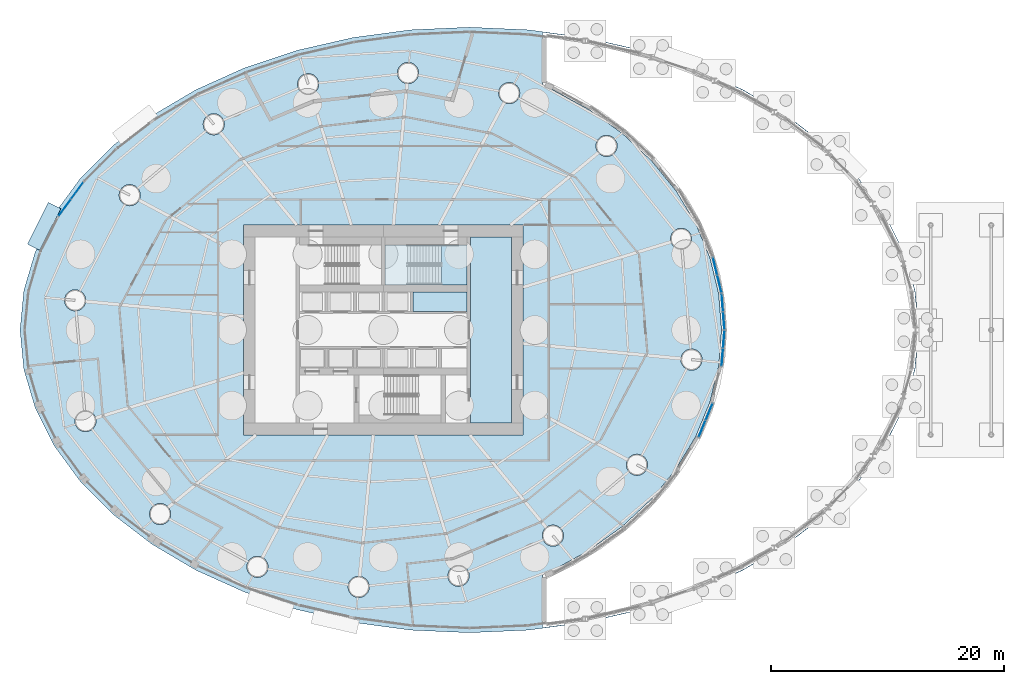
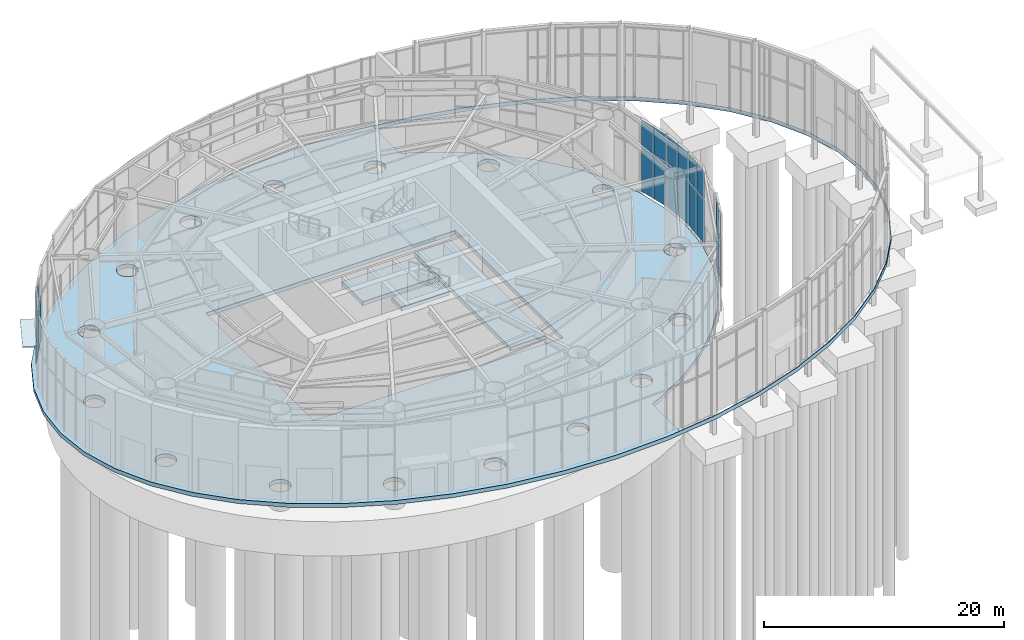
# One storey, part 17 of 27: 20 plates, 5 slabs, 6 elements without a shape of their own.
"""IFC4 building model written with IfcOpenShell, lengths in metres."""

import ifcopenshell
import ifcopenshell.guid

model = None  # the IFC model being written
_history = None  # IfcOwnerHistory: only IFC2X3 demands one
_inside = {}  # id of a spatial element -> (the spatial element, [elements in it])
_under = {}  # id of a project, library or spatial element -> (it, [spatial elements below it])
_declared = {}  # id of a project -> (the project, [libraries it declares])
_typed = {}  # id of a type object -> (the type object, [elements of that type])
_made_of = {}  # id of a material, layer set ... -> (it, [elements and type objects made of it])


def new_model(schema):
    """Start an empty IFC model of exactly this schema.

    Asked for "IFC4X3", IfcOpenShell would pick the latest addendum, in which some entities
    have other attributes; the version numbers below select the first issue.
    IFC2X3 requires an IfcOwnerHistory on every rooted entity: one is made here for all.
    """
    global model, _history
    if schema == "IFC4X3":
        model = ifcopenshell.file(schema_version=(4, 3, 0, 0))
    else:
        model = ifcopenshell.file(schema=schema)
    _inside.clear()
    _under.clear()
    _declared.clear()
    _typed.clear()
    _made_of.clear()
    _history = None
    if model.schema == "IFC2X3":
        org = make("IfcOrganization", Name="unknown")
        user = make(
            "IfcPersonAndOrganization",
            ThePerson=make("IfcPerson", FamilyName="unknown"),
            TheOrganization=org,
        )
        app = make(
            "IfcApplication",
            ApplicationDeveloper=org,
            Version="unknown",
            ApplicationFullName="unknown",
            ApplicationIdentifier="unknown",
        )
        _history = make(
            "IfcOwnerHistory",
            OwningUser=user,
            OwningApplication=app,
            ChangeAction="ADDED",
            CreationDate=0,
        )
    return model


def make(cls, **values):
    """One entity of the class cls with the attributes given. An attribute that is None is left unset."""
    return model.create_entity(
        cls, **{name: value for name, value in values.items() if value is not None}
    )


def rooted(cls, **values):
    """An entity with a GlobalId (a new one), such as an element, a storey or a relation."""
    return make(cls, GlobalId=ifcopenshell.guid.new(), OwnerHistory=_history, **values)


def si_unit(unit_type, name, prefix=None):
    """IfcSIUnit, for example si_unit("LENGTHUNIT", "METRE", prefix="MILLI")."""
    return make("IfcSIUnit", UnitType=unit_type, Prefix=prefix, Name=name)


def assignment(units):
    """IfcUnitAssignment: the units of a project."""
    return None if units is None else make("IfcUnitAssignment", Units=units)


def point(xyz):
    """IfcCartesianPoint."""
    return None if xyz is None else make("IfcCartesianPoint", Coordinates=xyz)


def direction(xyz):
    """IfcDirection."""
    return None if xyz is None else make("IfcDirection", DirectionRatios=xyz)


def frame(location, z_axis=None, x_axis=None):
    """IfcAxis2Placement3D, a coordinate frame: its origin and axes. An axis left out is left unset."""
    return make(
        "IfcAxis2Placement3D",
        Location=point(location),
        Axis=direction(z_axis),
        RefDirection=direction(x_axis),
    )


def frame_2d(location, x_axis=None):
    """IfcAxis2Placement2D, a coordinate frame in the plane: its origin and x axis."""
    return make(
        "IfcAxis2Placement2D", Location=point(location), RefDirection=direction(x_axis)
    )


def origin():
    """The frame at (0, 0, 0) with its axes left unset."""
    return frame((0.0, 0.0, 0.0))


def origin_2d():
    """The frame at (0, 0) in the plane with its x axis left unset."""
    return frame_2d((0.0, 0.0))


def place(relative_to, where):
    """IfcLocalPlacement: puts the frame where relative to a parent placement (None: the world)."""
    return make(
        "IfcLocalPlacement", PlacementRelTo=relative_to, RelativePlacement=where
    )


def context(
    kind, dimensions, precision=None, world=None, true_north=None, identifier=None
):
    """IfcGeometricRepresentationContext, for example the 3D "Model" context."""
    return make(
        "IfcGeometricRepresentationContext",
        ContextIdentifier=identifier,
        ContextType=kind,
        CoordinateSpaceDimension=dimensions,
        Precision=precision,
        WorldCoordinateSystem=world,
        TrueNorth=true_north,
    )


def subcontext(parent, identifier, kind, view, scale=None):
    """IfcGeometricRepresentationSubContext, for example "Body" below "Model"."""
    return make(
        "IfcGeometricRepresentationSubContext",
        ContextIdentifier=identifier,
        ContextType=kind,
        ParentContext=parent,
        TargetScale=scale,
        TargetView=view,
    )


def project(units=None, contexts=None):
    """IfcProject with its units and contexts."""
    return rooted(
        "IfcProject",
        Name="project",
        RepresentationContexts=contexts,
        UnitsInContext=assignment(units),
    )


def spatial(cls, under=None, at=None, **own):
    """A site, building, storey or space (cls), placed at a placement, below another one or the project."""
    s = rooted(cls, ObjectPlacement=at, **own)
    if under is not None:
        _under.setdefault(under.id(), (under, []))[1].append(s)
    return s


def polyline(points):
    """IfcPolyline through the points."""
    return make("IfcPolyline", Points=[point(p) for p in points])


def profile(cls, at=None, kind="AREA", **sizes):
    """A parametric profile (cls). Its sizes go by their IFC names, for example OverallWidth=200.0."""
    return make(cls, ProfileType=kind, Position=at, **sizes)


def rectangle(**sizes):
    """IfcRectangleProfileDef."""
    return profile("IfcRectangleProfileDef", **sizes)


def outline(outer, holes=None, kind="AREA"):
    """IfcArbitraryClosedProfileDef: a profile drawn as a closed curve; with holes, ...WithVoids."""
    if holes is None:
        return make("IfcArbitraryClosedProfileDef", ProfileType=kind, OuterCurve=outer)
    return make(
        "IfcArbitraryProfileDefWithVoids",
        ProfileType=kind,
        OuterCurve=outer,
        InnerCurves=holes,
    )


def extrude(swept, where, along, depth):
    """IfcExtrudedAreaSolid: the profile swept, set in the frame where, extruded along a direction by depth."""
    return make(
        "IfcExtrudedAreaSolid",
        SweptArea=swept,
        Position=where,
        ExtrudedDirection=direction(along),
        Depth=depth,
    )


def shape(context_of_items, identifier, shape_type, items):
    """IfcShapeRepresentation: the items that make up one representation, for example the "Body"."""
    return make(
        "IfcShapeRepresentation",
        ContextOfItems=context_of_items,
        RepresentationIdentifier=identifier,
        RepresentationType=shape_type,
        Items=items,
    )


def material(Name=None, Category=None):
    """IfcMaterial."""
    return make("IfcMaterial", Name=Name, Category=Category)


def layer(
    of_material, thickness, ventilated=None, Name=None, Category=None, Priority=None
):
    """IfcMaterialLayer: one layer of a wall or slab, of a material (None: an air gap)."""
    return make(
        "IfcMaterialLayer",
        Material=of_material,
        LayerThickness=thickness,
        IsVentilated=ventilated,
        Name=Name,
        Category=Category,
        Priority=Priority,
    )


def layer_set(layers, Name=None):
    """IfcMaterialLayerSet."""
    return make("IfcMaterialLayerSet", MaterialLayers=layers, LayerSetName=Name)


def made_of(thing, what):
    """Note that an element or type object is made of a material, layer set ...; save() writes the relation."""
    if what is not None:
        _made_of.setdefault(what.id(), (what, []))[1].append(thing)
    return thing


def type_object(cls, material=None, **own):
    """A type object (cls), such as IfcWallType, which elements share."""
    return made_of(rooted(cls, **own), material)


def element(
    cls,
    number,
    at=None,
    inside=None,
    cuts=None,
    type_object=None,
    material=None,
    context=None,
    identifier="Body",
    shape_type=None,
    held_by="IfcProductDefinitionShape",
    body=None,
    shapes=None,
    **own,
):
    """One element of the class cls, such as IfcWall. Its Tag is "e" and its number.

    at: its placement. inside: the storey or other place that contains it. cuts: it is an
    opening in that element (IfcRelVoidsElement). A single representation is given by context,
    identifier, shape_type and body (its items); several are given by shapes. held_by: the class
    of the entity that holds the representations. save() writes the other relations.
    """
    e = rooted(cls, Tag="e%d" % number, ObjectPlacement=at, **own)
    if body is not None:
        shapes = [shape(context, identifier, shape_type, body)]
    if shapes is not None:
        e.Representation = make(held_by, Representations=shapes)
    if inside is not None:
        _inside.setdefault(inside.id(), (inside, []))[1].append(e)
    if cuts is not None:
        rooted(
            "IfcRelVoidsElement", RelatingBuildingElement=cuts, RelatedOpeningElement=e
        )
    if type_object is not None:
        _typed.setdefault(type_object.id(), (type_object, []))[1].append(e)
    return made_of(e, material)


def aggregate(whole, parts):
    """IfcRelAggregates: a whole, such as a stair, and the parts it consists of."""
    return rooted("IfcRelAggregates", RelatingObject=whole, RelatedObjects=parts)


def save(model, path):
    """Write the relations noted so far, then the file.

    IfcRelAggregates (storeys below a building ...), IfcRelContainedInSpatialStructure (elements
    in a storey), IfcRelDefinesByType, IfcRelAssociatesMaterial and IfcRelDeclares: one each for
    every whole, place, type object, material and project.
    """
    for whole, parts in _under.values():
        aggregate(whole, parts)
    for where, things in _inside.values():
        rooted(
            "IfcRelContainedInSpatialStructure",
            RelatedElements=things,
            RelatingStructure=where,
        )
    for kind, things in _typed.values():
        rooted("IfcRelDefinesByType", RelatedObjects=things, RelatingType=kind)
    for what, things in _made_of.values():
        rooted("IfcRelAssociatesMaterial", RelatedObjects=things, RelatingMaterial=what)
    for by, libraries in _declared.values():
        rooted("IfcRelDeclares", RelatingContext=by, RelatedDefinitions=libraries)
    model.write(path)


model = new_model("IFC4")

# Units and contexts
model_context = context("Model", 3, precision=1e-05, world=origin(), true_north=direction((0.0, 1.0)))
body_context = subcontext(model_context, "Body", "Model", "MODEL_VIEW")
ifc_project = project(units=[si_unit("LENGTHUNIT", "METRE"), si_unit("AREAUNIT", "SQUARE_METRE"), si_unit("VOLUMEUNIT", "CUBIC_METRE"), si_unit("PLANEANGLEUNIT", "RADIAN"), si_unit("MASSUNIT", "GRAM", prefix="KILO")], contexts=[model_context])

# Site, building, storey
site_placement = place(None, origin())
site = spatial("IfcSite", under=ifc_project, at=site_placement, CompositionType="ELEMENT")
building_placement = place(site_placement, origin())
building = spatial("IfcBuilding", under=site, at=building_placement, Name="Vermilion Reach Broadcast Tower", CompositionType="ELEMENT")
storey_placement = place(building_placement, origin())
storey = spatial("IfcBuildingStorey", under=building, at=storey_placement, Name="L00", CompositionType="ELEMENT", Elevation=0.0)

# Slabs
ifc_material_1 = material(Name="Concrete C40", Category="concrete")
ifc_layer_1 = layer(ifc_material_1, 0.39990234375)
ifc_layer_set_1 = layer_set([ifc_layer_1], Name="Core ground slab Concrete C40")
slab_type_1 = type_object("IfcSlabType", Name="Core ground slab Concrete C40", PredefinedType="BASESLAB", material=ifc_layer_set_1)
placement_1 = place(storey_placement, frame((0.0, 0.0, -0.39990234375)))
element("IfcSlab", 1, at=placement_1, inside=storey, type_object=slab_type_1, Name="L00 core floor 3", PredefinedType="BASESLAB", context=body_context, shape_type="SweptSolid", body=[
    extrude(outline(polyline([(1.5, -8.0), (5.0, -8.0), (5.0, 8.0), (1.5, 8.0), (1.5, -8.0)])), origin(), (0.0, 0.0, 1.0), 0.39990234375),
])
element("IfcSlab", 2, at=placement_1, inside=storey, type_object=slab_type_1, Name="L00 core floor 5", PredefinedType="BASESLAB", context=body_context, shape_type="SweptSolid", body=[
    extrude(outline(polyline([(-3.433349609375, 1.60009765625), (1.199951171875, 1.60009765625), (1.199951171875, 3.280029296875), (-3.433349609375, 3.280029296875), (-3.433349609375, 1.60009765625)])), origin(), (0.0, 0.0, 1.0), 0.39990234375),
])
element("IfcSlab", 3, at=placement_1, inside=storey, type_object=slab_type_1, Name="L00 core floor 9", PredefinedType="BASESLAB", context=body_context, shape_type="SweptSolid", body=[
    extrude(outline(polyline([(-5.85009765625, 3.8798828125), (1.199951171875, 3.8798828125), (1.199951171875, 7.300048828125), (-5.85009765625, 7.300048828125), (-5.85009765625, 3.8798828125)])), origin(), (0.0, 0.0, 1.0), 0.39990234375),
])

# Curtain wall, plates
ifc_material_2 = material(Name="Low-e laminated clear glass in aluminium frame", Category="aluminium")
curtain_wall_type_1 = type_object("IfcCurtainWallType", Name="Drum wall curtain wall", PredefinedType="NOTDEFINED", material=ifc_material_2)
placement_2 = place(storey_placement, origin())
curtain_wall_1 = element("IfcCurtainWall", 4, at=placement_2, inside=storey, type_object=curtain_wall_type_1, Name="Drum wall L00 03", PredefinedType="NOTDEFINED")
ifc_material_3 = material(Name="Low-e laminated clear glass", Category="glass")
ifc_layer_2 = layer(ifc_material_3, 0.031982421875)
ifc_layer_set_2 = layer_set([ifc_layer_2], Name="Drum wall glass panel")
plate_type_1 = type_object("IfcPlateType", Name="Drum wall glass panel", PredefinedType="CURTAIN_PANEL", material=ifc_layer_set_2)
plate_1_placement = place(storey_placement, frame((22.486572265625, 5.468017578125, 0.0), z_axis=(0.0, 0.0, 1.0), x_axis=(0.235876820108, -0.971782962258, 0.0)))
plate_1 = element("IfcPlate", 5, at=plate_1_placement, type_object=plate_type_1, Name="Drum wall glass panel L00 03.1.1", PredefinedType="CURTAIN_PANEL", context=body_context, shape_type="SweptSolid", body=[
    extrude(rectangle(XDim=1.47705078125, YDim=0.031982421875, at=origin_2d()), origin(), (0.0, 0.0, 1.0), 4.449951171875),
])
plate_2_placement = place(storey_placement, frame((22.486572265625, 5.468017578125, 4.550048828125), z_axis=(0.0, 0.0, 1.0), x_axis=(0.235876820108, -0.971782962258, 0.0)))
plate_2 = element("IfcPlate", 6, at=plate_2_placement, type_object=plate_type_1, Name="Drum wall glass panel L00 03.1.2", PredefinedType="CURTAIN_PANEL", context=body_context, shape_type="SweptSolid", body=[
    extrude(rectangle(XDim=1.47705078125, YDim=0.031982421875, at=origin_2d()), origin(), (0.0, 0.0, 1.0), 2.75),
])
plate_3_placement = place(storey_placement, frame((22.85400390625, 3.955078125, 0.0), z_axis=(0.0, 0.0, 1.0), x_axis=(0.235876820108, -0.971782962258, 0.0)))
plate_3 = element("IfcPlate", 7, at=plate_3_placement, type_object=plate_type_1, Name="Drum wall glass panel L00 03.2.1", PredefinedType="CURTAIN_PANEL", context=body_context, shape_type="SweptSolid", body=[
    extrude(rectangle(XDim=1.47705078125, YDim=0.031982421875, at=origin_2d()), origin(), (0.0, 0.0, 1.0), 4.449951171875),
])
plate_4_placement = place(storey_placement, frame((22.85400390625, 3.955078125, 4.550048828125), z_axis=(0.0, 0.0, 1.0), x_axis=(0.235876820108, -0.971782962258, 0.0)))
plate_4 = element("IfcPlate", 8, at=plate_4_placement, type_object=plate_type_1, Name="Drum wall glass panel L00 03.2.2", PredefinedType="CURTAIN_PANEL", context=body_context, shape_type="SweptSolid", body=[
    extrude(rectangle(XDim=1.47705078125, YDim=0.031982421875, at=origin_2d()), origin(), (0.0, 0.0, 1.0), 2.75),
])
aggregate(curtain_wall_1, [plate_1, plate_2, plate_3, plate_4])

curtain_wall_2 = element("IfcCurtainWall", 9, at=placement_2, inside=storey, type_object=curtain_wall_type_1, Name="Drum wall L00 04", PredefinedType="NOTDEFINED")
plate_5_placement = place(storey_placement, frame((23.11181640625, 2.349853515625, 0.0), z_axis=(0.0, 0.0, 1.0), x_axis=(0.079725722082, -0.99681683836, 0.0)))
plate_5 = element("IfcPlate", 10, at=plate_5_placement, type_object=plate_type_1, Name="Drum wall glass panel L00 04.1.1", PredefinedType="CURTAIN_PANEL", context=body_context, shape_type="SweptSolid", body=[
    extrude(rectangle(XDim=1.46484375, YDim=0.031982421875, at=origin_2d()), origin(), (0.0, 0.0, 1.0), 4.449951171875),
])
plate_6_placement = place(storey_placement, frame((23.11181640625, 2.349853515625, 4.550048828125), z_axis=(0.0, 0.0, 1.0), x_axis=(0.079725722082, -0.99681683836, 0.0)))
plate_6 = element("IfcPlate", 11, at=plate_6_placement, type_object=plate_type_1, Name="Drum wall glass panel L00 04.1.2", PredefinedType="CURTAIN_PANEL", context=body_context, shape_type="SweptSolid", body=[
    extrude(rectangle(XDim=1.46484375, YDim=0.031982421875, at=origin_2d()), origin(), (0.0, 0.0, 1.0), 2.75),
])
plate_7_placement = place(storey_placement, frame((23.23486328125, 0.809814453125, 0.0), z_axis=(0.0, 0.0, 1.0), x_axis=(0.079725722082, -0.99681683836, 0.0)))
plate_7 = element("IfcPlate", 12, at=plate_7_placement, type_object=plate_type_1, Name="Drum wall glass panel L00 04.2.1", PredefinedType="CURTAIN_PANEL", context=body_context, shape_type="SweptSolid", body=[
    extrude(rectangle(XDim=1.46484375, YDim=0.031982421875, at=origin_2d()), origin(), (0.0, 0.0, 1.0), 4.449951171875),
])
plate_8_placement = place(storey_placement, frame((23.23486328125, 0.809814453125, 4.550048828125), z_axis=(0.0, 0.0, 1.0), x_axis=(0.079725722082, -0.99681683836, 0.0)))
plate_8 = element("IfcPlate", 13, at=plate_8_placement, type_object=plate_type_1, Name="Drum wall glass panel L00 04.2.2", PredefinedType="CURTAIN_PANEL", context=body_context, shape_type="SweptSolid", body=[
    extrude(rectangle(XDim=1.46484375, YDim=0.031982421875, at=origin_2d()), origin(), (0.0, 0.0, 1.0), 2.75),
])
aggregate(curtain_wall_2, [plate_5, plate_6, plate_7, plate_8])

curtain_wall_3 = element("IfcCurtainWall", 14, at=placement_2, inside=storey, type_object=curtain_wall_type_1, Name="Drum wall L00 05", PredefinedType="NOTDEFINED")
plate_9_placement = place(storey_placement, frame((23.23486328125, -0.809814453125, 0.0), z_axis=(0.0, 0.0, 1.0), x_axis=(-0.079725722082, -0.99681683836, 0.0)))
plate_9 = element("IfcPlate", 15, at=plate_9_placement, type_object=plate_type_1, Name="Drum wall glass panel L00 05.1.1", PredefinedType="CURTAIN_PANEL", context=body_context, shape_type="SweptSolid", body=[
    extrude(rectangle(XDim=1.46484375, YDim=0.031982421875, at=origin_2d()), origin(), (0.0, 0.0, 1.0), 4.449951171875),
])
plate_10_placement = place(storey_placement, frame((23.23486328125, -0.809814453125, 4.550048828125), z_axis=(0.0, 0.0, 1.0), x_axis=(-0.079725722082, -0.99681683836, 0.0)))
plate_10 = element("IfcPlate", 16, at=plate_10_placement, type_object=plate_type_1, Name="Drum wall glass panel L00 05.1.2", PredefinedType="CURTAIN_PANEL", context=body_context, shape_type="SweptSolid", body=[
    extrude(rectangle(XDim=1.46484375, YDim=0.031982421875, at=origin_2d()), origin(), (0.0, 0.0, 1.0), 2.75),
])
plate_11_placement = place(storey_placement, frame((23.11181640625, -2.349853515625, 0.0), z_axis=(0.0, 0.0, 1.0), x_axis=(-0.079725722082, -0.99681683836, 0.0)))
plate_11 = element("IfcPlate", 17, at=plate_11_placement, type_object=plate_type_1, Name="Drum wall glass panel L00 05.2.1", PredefinedType="CURTAIN_PANEL", context=body_context, shape_type="SweptSolid", body=[
    extrude(rectangle(XDim=1.46484375, YDim=0.031982421875, at=origin_2d()), origin(), (0.0, 0.0, 1.0), 4.449951171875),
])
plate_12_placement = place(storey_placement, frame((23.11181640625, -2.349853515625, 4.550048828125), z_axis=(0.0, 0.0, 1.0), x_axis=(-0.079725722082, -0.99681683836, 0.0)))
plate_12 = element("IfcPlate", 18, at=plate_12_placement, type_object=plate_type_1, Name="Drum wall glass panel L00 05.2.2", PredefinedType="CURTAIN_PANEL", context=body_context, shape_type="SweptSolid", body=[
    extrude(rectangle(XDim=1.46484375, YDim=0.031982421875, at=origin_2d()), origin(), (0.0, 0.0, 1.0), 2.75),
])
aggregate(curtain_wall_3, [plate_9, plate_10, plate_11, plate_12])

curtain_wall_4 = element("IfcCurtainWall", 19, at=placement_2, inside=storey, type_object=curtain_wall_type_1, Name="Drum wall L00 01", PredefinedType="NOTDEFINED")
plate_13_placement = place(storey_placement, frame((21.97607421875, -7.0302734375, 0.0), z_axis=(0.0, 0.0, 1.0), x_axis=(-0.382693341189, -0.92387542808, 0.0)))
plate_13 = element("IfcPlate", 20, at=plate_13_placement, type_object=plate_type_1, Name="Drum wall glass panel L00 01.1.1", PredefinedType="CURTAIN_PANEL", context=body_context, shape_type="SweptSolid", body=[
    extrude(rectangle(XDim=1.5, YDim=0.031982421875, at=origin_2d()), origin(), (0.0, 0.0, 1.0), 4.449951171875),
])
plate_14_placement = place(storey_placement, frame((21.97607421875, -7.0302734375, 4.550048828125), z_axis=(0.0, 0.0, 1.0), x_axis=(-0.382693341189, -0.92387542808, 0.0)))
plate_14 = element("IfcPlate", 21, at=plate_14_placement, type_object=plate_type_1, Name="Drum wall glass panel L00 01.1.2", PredefinedType="CURTAIN_PANEL", context=body_context, shape_type="SweptSolid", body=[
    extrude(rectangle(XDim=1.5, YDim=0.031982421875, at=origin_2d()), origin(), (0.0, 0.0, 1.0), 2.75),
])
plate_15_placement = place(storey_placement, frame((21.371337890625, -8.489990234375, 0.0), z_axis=(0.0, 0.0, 1.0), x_axis=(-0.382693341189, -0.92387542808, 0.0)))
plate_15 = element("IfcPlate", 22, at=plate_15_placement, type_object=plate_type_1, Name="Drum wall glass panel L00 01.2.1", PredefinedType="CURTAIN_PANEL", context=body_context, shape_type="SweptSolid", body=[
    extrude(rectangle(XDim=1.5, YDim=0.031982421875, at=origin_2d()), origin(), (0.0, 0.0, 1.0), 4.449951171875),
])
plate_16_placement = place(storey_placement, frame((21.371337890625, -8.489990234375, 4.550048828125), z_axis=(0.0, 0.0, 1.0), x_axis=(-0.382693341189, -0.92387542808, 0.0)))
plate_16 = element("IfcPlate", 23, at=plate_16_placement, type_object=plate_type_1, Name="Drum wall glass panel L00 01.2.2", PredefinedType="CURTAIN_PANEL", context=body_context, shape_type="SweptSolid", body=[
    extrude(rectangle(XDim=1.5, YDim=0.031982421875, at=origin_2d()), origin(), (0.0, 0.0, 1.0), 2.75),
])
aggregate(curtain_wall_4, [plate_13, plate_14, plate_15, plate_16])

# Plate
ifc_material_4 = material(Name="Laminated glass canopy", Category="glass")
ifc_layer_3 = layer(ifc_material_4, 0.14990234375)
ifc_layer_set_3 = layer_set([ifc_layer_3], Name="Entrance canopy 150")
plate_type_2 = type_object("IfcPlateType", Name="Entrance canopy 150", PredefinedType="SHEET", material=ifc_layer_set_3)
plate_17_placement = place(storey_placement, frame((-35.131103515625, 8.894287109375, 3.925048828125), z_axis=(0.0, 0.0, 1.0), x_axis=(0.450071784356, 0.892992378986, 0.0)))
element("IfcPlate", 24, at=plate_17_placement, inside=storey, type_object=plate_type_2, Name="Entrance canopy str11", PredefinedType="SHEET", context=body_context, shape_type="SweptSolid", body=[
    extrude(rectangle(XDim=4.0, YDim=1.199951171875, at=origin_2d()), origin(), (0.0, 0.0, 1.0), 0.14990234375),
])

# Stair, slab
ifc_material_5 = material(Name="Concrete C40", Category="concrete")
stair_type = type_object("IfcStairType", Name="Exit stair RC 48 risers 167 mm", PredefinedType="HALF_TURN_STAIR", material=ifc_material_5)
stair = element("IfcStair", 25, at=placement_2, inside=storey, type_object=stair_type, Name="L00 Exit stair ST2", PredefinedType="HALF_TURN_STAIR")
ifc_material_6 = material(Name="Concrete C40", Category="concrete")
ifc_layer_4 = layer(ifc_material_6, 0.199951171875)
ifc_layer_set_4 = layer_set([ifc_layer_4], Name="Exit stair landing Concrete C40")
slab_type_2 = type_object("IfcSlabType", Name="Exit stair landing Concrete C40", PredefinedType="LANDING", material=ifc_layer_set_4)
slab_4_placement = place(storey_placement, frame((0.0, 0.0, 3.800048828125)))
slab_4 = element("IfcSlab", 26, at=slab_4_placement, type_object=slab_type_2, Name="ST2 landing 2", PredefinedType="LANDING", context=body_context, shape_type="SweptSolid", body=[
    extrude(outline(polyline([(1.199951171875, 7.300048828125), (-1.0, 7.300048828125), (-1.0, 3.8798828125), (1.199951171875, 3.8798828125), (1.199951171875, 7.300048828125)])), origin(), (0.0, 0.0, 1.0), 0.199951171875),
])
aggregate(stair, [slab_4])

# Slab
ifc_material_7 = material(Name="Concrete C35", Category="concrete")
ifc_layer_5 = layer(ifc_material_7, 0.39990234375)
ifc_layer_set_5 = layer_set([ifc_layer_5], Name="Ground slab Concrete C35 on grade 400")
slab_type_3 = type_object("IfcSlabType", Name="Ground slab Concrete C35 on grade 400", PredefinedType="BASESLAB", material=ifc_layer_set_5)
element("IfcSlab", 27, at=placement_1, inside=storey, type_object=slab_type_3, Name="Floor slab L00", PredefinedType="BASESLAB", context=body_context, shape_type="SweptSolid", body=[
    extrude(outline(polyline([(40.0, 0.0), (39.669677734375, 3.393798828125), (38.684814453125, 6.729248046875), (37.061767578125, 9.94970703125), (34.82861328125, 13.0), (32.0234375, 15.827880859375), (28.6943359375, 18.384765625), (24.898193359375, 20.627197265625), (20.699951171875, 22.5166015625), (16.171630859375, 24.020751953125), (11.390380859375, 25.114013671875), (6.438232421875, 25.777587890625), (1.39990234375, 26.0), (-3.638427734375, 25.777587890625), (-8.59033203125, 25.114013671875), (-13.37158203125, 24.020751953125), (-17.89990234375, 22.5166015625), (-22.09814453125, 20.627197265625), (-25.894287109375, 18.384765625), (-29.223388671875, 15.827880859375), (-32.028564453125, 13.0), (-34.26171875, 9.94970703125), (-35.884765625, 6.729248046875), (-36.869873046875, 3.393798828125), (-37.199951171875, 0.0), (-36.869873046875, -3.393798828125), (-35.884765625, -6.729248046875), (-34.26171875, -9.94970703125), (-32.028564453125, -13.0), (-29.223388671875, -15.827880859375), (-25.894287109375, -18.384765625), (-22.09814453125, -20.627197265625), (-17.89990234375, -22.5166015625), (-13.37158203125, -24.020751953125), (-8.59033203125, -25.114013671875), (-3.638427734375, -25.777587890625), (1.39990234375, -26.0), (6.438232421875, -25.777587890625), (11.390380859375, -25.114013671875), (16.171630859375, -24.020751953125), (20.699951171875, -22.5166015625), (24.898193359375, -20.627197265625), (28.6943359375, -18.384765625), (32.0234375, -15.827880859375), (34.82861328125, -13.0), (37.061767578125, -9.94970703125), (38.684814453125, -6.729248046875), (39.669677734375, -3.393798828125), (40.0, 0.0)]), holes=[polyline([(11.3818359375, 25.065185546875), (16.158447265625, 23.97314453125), (20.682373046875, 22.470458984375), (24.875732421875, 20.5830078125), (28.667236328125, 18.343505859375), (31.991455078125, 15.79052734375), (34.791748046875, 12.967529296875), (37.0205078125, 9.923583984375), (38.639892578125, 6.7109375), (39.622314453125, 3.384033203125), (39.95166015625, 0.0), (39.622314453125, -3.384033203125), (38.639892578125, -6.7109375), (37.0205078125, -9.923583984375), (34.791748046875, -12.967529296875), (31.991455078125, -15.79052734375), (28.667236328125, -18.343505859375), (24.875732421875, -20.5830078125), (20.682373046875, -22.470458984375), (16.158447265625, -23.97314453125), (11.3818359375, -25.065185546875), (7.64990234375, -25.565185546875), (7.64990234375, -21.009765625), (8.50634765625, -20.663818359375), (11.664794921875, -18.934326171875), (14.5224609375, -16.880615234375), (17.0302734375, -14.537353515625), (19.14501953125, -11.94384765625), (20.829833984375, -9.14404296875), (22.05517578125, -6.185791015625), (22.79931640625, -3.1201171875), (23.048828125, 0.0), (22.79931640625, 3.1201171875), (22.05517578125, 6.185791015625), (20.829833984375, 9.14404296875), (19.14501953125, 11.94384765625), (17.0302734375, 14.537353515625), (14.5224609375, 16.880615234375), (11.664794921875, 18.934326171875), (8.50634765625, 20.663818359375), (7.64990234375, 21.009765625), (7.64990234375, 25.565185546875), (11.3818359375, 25.065185546875)]), polyline([(-18.0, -9.0), (6.0, -9.0), (6.0, 9.0), (-18.0, 9.0), (-18.0, -9.0)]), polyline([(20.4853515625, 7.823974609375), (20.454345703125, 8.0595703125), (20.363525390625, 8.279052734375), (20.21875, 8.467529296875), (20.0302734375, 8.612060546875), (19.810791015625, 8.703125), (19.575439453125, 8.734130859375), (19.33984375, 8.703125), (19.120361328125, 8.612060546875), (18.931884765625, 8.467529296875), (18.787353515625, 8.279052734375), (18.6962890625, 8.0595703125), (18.665283203125, 7.823974609375), (18.6962890625, 7.588623046875), (18.787353515625, 7.369140625), (18.931884765625, 7.1806640625), (19.120361328125, 7.035888671875), (19.33984375, 6.945068359375), (19.575439453125, 6.9140625), (19.810791015625, 6.945068359375), (20.0302734375, 7.035888671875), (20.21875, 7.1806640625), (20.363525390625, 7.369140625), (20.454345703125, 7.588623046875), (20.4853515625, 7.823974609375)]), polyline([(14.076171875, 15.804931640625), (14.045166015625, 16.04052734375), (13.954345703125, 16.260009765625), (13.8095703125, 16.448486328125), (13.621337890625, 16.593017578125), (13.40185546875, 16.68408203125), (13.166259765625, 16.715087890625), (12.9306640625, 16.68408203125), (12.711181640625, 16.593017578125), (12.522705078125, 16.448486328125), (12.378173828125, 16.260009765625), (12.287353515625, 16.04052734375), (12.256103515625, 15.804931640625), (12.287353515625, 15.569580078125), (12.378173828125, 15.35009765625), (12.522705078125, 15.16162109375), (12.711181640625, 15.016845703125), (12.9306640625, 14.926025390625), (13.166259765625, 14.89501953125), (13.40185546875, 14.926025390625), (13.621337890625, 15.016845703125), (13.8095703125, 15.16162109375), (13.954345703125, 15.35009765625), (14.045166015625, 15.569580078125), (14.076171875, 15.804931640625)]), polyline([(5.719970703125, 20.3388671875), (5.68896484375, 20.574462890625), (5.597900390625, 20.7939453125), (5.453369140625, 20.982421875), (5.264892578125, 21.126953125), (5.04541015625, 21.218017578125), (4.809814453125, 21.2490234375), (4.57421875, 21.218017578125), (4.354736328125, 21.126953125), (4.16650390625, 20.982421875), (4.021728515625, 20.7939453125), (3.930908203125, 20.574462890625), (3.89990234375, 20.3388671875), (3.930908203125, 20.103515625), (4.021728515625, 19.884033203125), (4.16650390625, 19.695556640625), (4.354736328125, 19.55078125), (4.57421875, 19.4599609375), (4.809814453125, 19.428955078125), (5.04541015625, 19.4599609375), (5.264892578125, 19.55078125), (5.453369140625, 19.695556640625), (5.597900390625, 19.884033203125), (5.68896484375, 20.103515625), (5.719970703125, 20.3388671875)]), polyline([(-2.969482421875, 22.06396484375), (-3.00048828125, 22.29931640625), (-3.09130859375, 22.518798828125), (-3.23583984375, 22.707275390625), (-3.42431640625, 22.85205078125), (-3.643798828125, 22.94287109375), (-3.87939453125, 22.973876953125), (-4.114990234375, 22.94287109375), (-4.33447265625, 22.85205078125), (-4.52294921875, 22.707275390625), (-4.66748046875, 22.518798828125), (-4.75830078125, 22.29931640625), (-4.789306640625, 22.06396484375), (-4.75830078125, 21.828369140625), (-4.66748046875, 21.60888671875), (-4.52294921875, 21.42041015625), (-4.33447265625, 21.27587890625), (-4.114990234375, 21.184814453125), (-3.87939453125, 21.15380859375), (-3.643798828125, 21.184814453125), (-3.42431640625, 21.27587890625), (-3.23583984375, 21.42041015625), (-3.09130859375, 21.60888671875), (-3.00048828125, 21.828369140625), (-2.969482421875, 22.06396484375)]), polyline([(-11.54736328125, 21.108154296875), (-11.578369140625, 21.34375), (-11.66943359375, 21.563232421875), (-11.81396484375, 21.75146484375), (-12.00244140625, 21.896240234375), (-12.221923828125, 21.987060546875), (-12.45751953125, 22.01806640625), (-12.69287109375, 21.987060546875), (-12.912353515625, 21.896240234375), (-13.100830078125, 21.75146484375), (-13.24560546875, 21.563232421875), (-13.33642578125, 21.34375), (-13.367431640625, 21.108154296875), (-13.33642578125, 20.87255859375), (-13.24560546875, 20.653076171875), (-13.100830078125, 20.464599609375), (-12.912353515625, 20.320068359375), (-12.69287109375, 20.22900390625), (-12.45751953125, 20.197998046875), (-12.221923828125, 20.22900390625), (-12.00244140625, 20.320068359375), (-11.81396484375, 20.464599609375), (-11.66943359375, 20.653076171875), (-11.578369140625, 20.87255859375), (-11.54736328125, 21.108154296875)]), polyline([(-19.6533203125, 17.660400390625), (-19.684326171875, 17.89599609375), (-19.775146484375, 18.115478515625), (-19.919677734375, 18.3037109375), (-20.108154296875, 18.448486328125), (-20.32763671875, 18.539306640625), (-20.563232421875, 18.5703125), (-20.798828125, 18.539306640625), (-21.018310546875, 18.448486328125), (-21.206787109375, 18.3037109375), (-21.351318359375, 18.115478515625), (-21.442138671875, 17.89599609375), (-21.47314453125, 17.660400390625), (-21.442138671875, 17.4248046875), (-21.351318359375, 17.205322265625), (-21.206787109375, 17.016845703125), (-21.018310546875, 16.872314453125), (-20.798828125, 16.78125), (-20.563232421875, 16.750244140625), (-20.32763671875, 16.78125), (-20.108154296875, 16.872314453125), (-19.919677734375, 17.016845703125), (-19.775146484375, 17.205322265625), (-19.684326171875, 17.4248046875), (-19.6533203125, 17.660400390625)]), polyline([(-26.869873046875, 11.57568359375), (-26.90087890625, 11.811279296875), (-26.99169921875, 12.03076171875), (-27.13623046875, 12.218994140625), (-27.32470703125, 12.36376953125), (-27.544189453125, 12.45458984375), (-27.77978515625, 12.485595703125), (-28.015380859375, 12.45458984375), (-28.23486328125, 12.36376953125), (-28.42333984375, 12.218994140625), (-28.56787109375, 12.03076171875), (-28.65869140625, 11.811279296875), (-28.689697265625, 11.57568359375), (-28.65869140625, 11.340087890625), (-28.56787109375, 11.12060546875), (-28.42333984375, 10.93212890625), (-28.23486328125, 10.78759765625), (-28.015380859375, 10.696533203125), (-27.77978515625, 10.66552734375), (-27.544189453125, 10.696533203125), (-27.32470703125, 10.78759765625), (-27.13623046875, 10.93212890625), (-26.99169921875, 11.12060546875), (-26.90087890625, 11.340087890625), (-26.869873046875, 11.57568359375)]), polyline([(-31.55419921875, 2.54345703125), (-31.585205078125, 2.779052734375), (-31.676025390625, 2.99853515625), (-31.820556640625, 3.18701171875), (-32.009033203125, 3.33154296875), (-32.228515625, 3.422607421875), (-32.464111328125, 3.45361328125), (-32.69970703125, 3.422607421875), (-32.919189453125, 3.33154296875), (-33.107666015625, 3.18701171875), (-33.252197265625, 2.99853515625), (-33.343017578125, 2.779052734375), (-33.3740234375, 2.54345703125), (-33.343017578125, 2.30810546875), (-33.252197265625, 2.088623046875), (-33.107666015625, 1.900146484375), (-32.919189453125, 1.75537109375), (-32.69970703125, 1.66455078125), (-32.464111328125, 1.633544921875), (-32.228515625, 1.66455078125), (-32.009033203125, 1.75537109375), (-31.820556640625, 1.900146484375), (-31.676025390625, 2.088623046875), (-31.585205078125, 2.30810546875), (-31.55419921875, 2.54345703125)]), polyline([(-30.665283203125, -7.823974609375), (-30.6962890625, -7.588623046875), (-30.787353515625, -7.369140625), (-30.931884765625, -7.1806640625), (-31.120361328125, -7.035888671875), (-31.33984375, -6.945068359375), (-31.575439453125, -6.9140625), (-31.810791015625, -6.945068359375), (-32.0302734375, -7.035888671875), (-32.21875, -7.1806640625), (-32.363525390625, -7.369140625), (-32.454345703125, -7.588623046875), (-32.4853515625, -7.823974609375), (-32.454345703125, -8.0595703125), (-32.363525390625, -8.279052734375), (-32.21875, -8.467529296875), (-32.0302734375, -8.612060546875), (-31.810791015625, -8.703125), (-31.575439453125, -8.734130859375), (-31.33984375, -8.703125), (-31.120361328125, -8.612060546875), (-30.931884765625, -8.467529296875), (-30.787353515625, -8.279052734375), (-30.6962890625, -8.0595703125), (-30.665283203125, -7.823974609375)]), polyline([(-24.256103515625, -15.804931640625), (-24.287353515625, -15.569580078125), (-24.378173828125, -15.35009765625), (-24.522705078125, -15.16162109375), (-24.711181640625, -15.016845703125), (-24.9306640625, -14.926025390625), (-25.166259765625, -14.89501953125), (-25.40185546875, -14.926025390625), (-25.621337890625, -15.016845703125), (-25.8095703125, -15.16162109375), (-25.954345703125, -15.35009765625), (-26.045166015625, -15.569580078125), (-26.076171875, -15.804931640625), (-26.045166015625, -16.04052734375), (-25.954345703125, -16.260009765625), (-25.8095703125, -16.448486328125), (-25.621337890625, -16.593017578125), (-25.40185546875, -16.68408203125), (-25.166259765625, -16.715087890625), (-24.9306640625, -16.68408203125), (-24.711181640625, -16.593017578125), (-24.522705078125, -16.448486328125), (-24.378173828125, -16.260009765625), (-24.287353515625, -16.04052734375), (-24.256103515625, -15.804931640625)]), polyline([(-15.89990234375, -20.3388671875), (-15.930908203125, -20.103515625), (-16.021728515625, -19.884033203125), (-16.16650390625, -19.695556640625), (-16.354736328125, -19.55078125), (-16.57421875, -19.4599609375), (-16.809814453125, -19.428955078125), (-17.04541015625, -19.4599609375), (-17.264892578125, -19.55078125), (-17.453369140625, -19.695556640625), (-17.597900390625, -19.884033203125), (-17.68896484375, -20.103515625), (-17.719970703125, -20.3388671875), (-17.68896484375, -20.574462890625), (-17.597900390625, -20.7939453125), (-17.453369140625, -20.982421875), (-17.264892578125, -21.126953125), (-17.04541015625, -21.218017578125), (-16.809814453125, -21.2490234375), (-16.57421875, -21.218017578125), (-16.354736328125, -21.126953125), (-16.16650390625, -20.982421875), (-16.021728515625, -20.7939453125), (-15.930908203125, -20.574462890625), (-15.89990234375, -20.3388671875)]), polyline([(-7.210693359375, -22.06396484375), (-7.24169921875, -21.828369140625), (-7.33251953125, -21.60888671875), (-7.47705078125, -21.42041015625), (-7.66552734375, -21.27587890625), (-7.885009765625, -21.184814453125), (-8.12060546875, -21.15380859375), (-8.356201171875, -21.184814453125), (-8.57568359375, -21.27587890625), (-8.76416015625, -21.42041015625), (-8.90869140625, -21.60888671875), (-8.99951171875, -21.828369140625), (-9.030517578125, -22.06396484375), (-8.99951171875, -22.29931640625), (-8.90869140625, -22.518798828125), (-8.76416015625, -22.707275390625), (-8.57568359375, -22.85205078125), (-8.356201171875, -22.94287109375), (-8.12060546875, -22.973876953125), (-7.885009765625, -22.94287109375), (-7.66552734375, -22.85205078125), (-7.47705078125, -22.707275390625), (-7.33251953125, -22.518798828125), (-7.24169921875, -22.29931640625), (-7.210693359375, -22.06396484375)]), polyline([(1.367431640625, -21.108154296875), (1.33642578125, -20.87255859375), (1.24560546875, -20.653076171875), (1.100830078125, -20.464599609375), (0.912353515625, -20.320068359375), (0.69287109375, -20.22900390625), (0.45751953125, -20.197998046875), (0.221923828125, -20.22900390625), (0.00244140625, -20.320068359375), (-0.18603515625, -20.464599609375), (-0.33056640625, -20.653076171875), (-0.421630859375, -20.87255859375), (-0.45263671875, -21.108154296875), (-0.421630859375, -21.34375), (-0.33056640625, -21.563232421875), (-0.18603515625, -21.75146484375), (0.00244140625, -21.896240234375), (0.221923828125, -21.987060546875), (0.45751953125, -22.01806640625), (0.69287109375, -21.987060546875), (0.912353515625, -21.896240234375), (1.100830078125, -21.75146484375), (1.24560546875, -21.563232421875), (1.33642578125, -21.34375), (1.367431640625, -21.108154296875)]), polyline([(9.47314453125, -17.660400390625), (9.442138671875, -17.4248046875), (9.351318359375, -17.205322265625), (9.206787109375, -17.016845703125), (9.018310546875, -16.872314453125), (8.798828125, -16.78125), (8.563232421875, -16.750244140625), (8.32763671875, -16.78125), (8.108154296875, -16.872314453125), (7.919677734375, -17.016845703125), (7.775146484375, -17.205322265625), (7.684326171875, -17.4248046875), (7.6533203125, -17.660400390625), (7.684326171875, -17.89599609375), (7.775146484375, -18.115478515625), (7.919677734375, -18.3037109375), (8.108154296875, -18.448486328125), (8.32763671875, -18.539306640625), (8.563232421875, -18.5703125), (8.798828125, -18.539306640625), (9.018310546875, -18.448486328125), (9.206787109375, -18.3037109375), (9.351318359375, -18.115478515625), (9.442138671875, -17.89599609375), (9.47314453125, -17.660400390625)]), polyline([(16.689697265625, -11.57568359375), (16.65869140625, -11.340087890625), (16.56787109375, -11.12060546875), (16.42333984375, -10.93212890625), (16.23486328125, -10.78759765625), (16.015380859375, -10.696533203125), (15.77978515625, -10.66552734375), (15.544189453125, -10.696533203125), (15.32470703125, -10.78759765625), (15.13623046875, -10.93212890625), (14.99169921875, -11.12060546875), (14.90087890625, -11.340087890625), (14.869873046875, -11.57568359375), (14.90087890625, -11.811279296875), (14.99169921875, -12.03076171875), (15.13623046875, -12.218994140625), (15.32470703125, -12.36376953125), (15.544189453125, -12.45458984375), (15.77978515625, -12.485595703125), (16.015380859375, -12.45458984375), (16.23486328125, -12.36376953125), (16.42333984375, -12.218994140625), (16.56787109375, -12.03076171875), (16.65869140625, -11.811279296875), (16.689697265625, -11.57568359375)]), polyline([(21.3740234375, -2.54345703125), (21.343017578125, -2.30810546875), (21.252197265625, -2.088623046875), (21.107666015625, -1.900146484375), (20.919189453125, -1.75537109375), (20.69970703125, -1.66455078125), (20.464111328125, -1.633544921875), (20.228515625, -1.66455078125), (20.009033203125, -1.75537109375), (19.820556640625, -1.900146484375), (19.676025390625, -2.088623046875), (19.585205078125, -2.30810546875), (19.55419921875, -2.54345703125), (19.585205078125, -2.779052734375), (19.676025390625, -2.99853515625), (19.820556640625, -3.18701171875), (20.009033203125, -3.33154296875), (20.228515625, -3.422607421875), (20.464111328125, -3.45361328125), (20.69970703125, -3.422607421875), (20.919189453125, -3.33154296875), (21.107666015625, -3.18701171875), (21.252197265625, -2.99853515625), (21.343017578125, -2.779052734375), (21.3740234375, -2.54345703125)])]), origin(), (0.0, 0.0, 1.0), 0.39990234375),
])

# Curtain wall, plates
ifc_material_8 = material(Name="Low-e laminated clear glass in aluminium frame", Category="aluminium")
curtain_wall_type_2 = type_object("IfcCurtainWallType", Name="Street frontage curtain wall", PredefinedType="NOTDEFINED", material=ifc_material_8)
curtain_wall_5 = element("IfcCurtainWall", 28, at=placement_2, inside=storey, type_object=curtain_wall_type_2, Name="Street frontage L00 02", PredefinedType="NOTDEFINED")
ifc_material_9 = material(Name="Low-e laminated clear glass", Category="glass")
ifc_layer_6 = layer(ifc_material_9, 0.028076171875)
ifc_layer_set_6 = layer_set([ifc_layer_6], Name="Street frontage glass panel")
plate_type_3 = type_object("IfcPlateType", Name="Street frontage glass panel", PredefinedType="CURTAIN_PANEL", material=ifc_layer_set_6)
plate_18_placement = place(storey_placement, frame((-32.2841796875, 11.9755859375, 0.0), z_axis=(0.0, 0.0, 1.0), x_axis=(-0.590759824697, -0.806847463604, 0.0)))
plate_18 = element("IfcPlate", 29, at=plate_18_placement, type_object=plate_type_3, Name="Street frontage glass panel L00 02.1.1", PredefinedType="CURTAIN_PANEL", context=body_context, shape_type="SweptSolid", body=[
    extrude(rectangle(XDim=1.753662109375, YDim=0.028076171875, at=origin_2d()), origin(), (0.0, 0.0, 1.0), 4.455078125),
])
plate_19_placement = place(storey_placement, frame((-33.361572265625, 10.504150390625, 0.0), z_axis=(0.0, 0.0, 1.0), x_axis=(-0.590759824697, -0.806847463604, 0.0)))
plate_19 = element("IfcPlate", 30, at=plate_19_placement, type_object=plate_type_3, Name="Street frontage glass panel L00 02.2.1", PredefinedType="CURTAIN_PANEL", context=body_context, shape_type="SweptSolid", body=[
    extrude(rectangle(XDim=1.753662109375, YDim=0.028076171875, at=origin_2d()), origin(), (0.0, 0.0, 1.0), 4.455078125),
])
plate_20_placement = place(storey_placement, frame((-33.361572265625, 10.504150390625, 4.544921875), z_axis=(0.0, 0.0, 1.0), x_axis=(-0.590759824697, -0.806847463604, 0.0)))
plate_20 = element("IfcPlate", 31, at=plate_20_placement, type_object=plate_type_3, Name="Street frontage glass panel L00 02.2.2", PredefinedType="CURTAIN_PANEL", context=body_context, shape_type="SweptSolid", body=[
    extrude(rectangle(XDim=1.753662109375, YDim=0.028076171875, at=origin_2d()), origin(), (0.0, 0.0, 1.0), 2.764892578125),
])
aggregate(curtain_wall_5, [plate_18, plate_19, plate_20])

save(model, "model.ifc")
